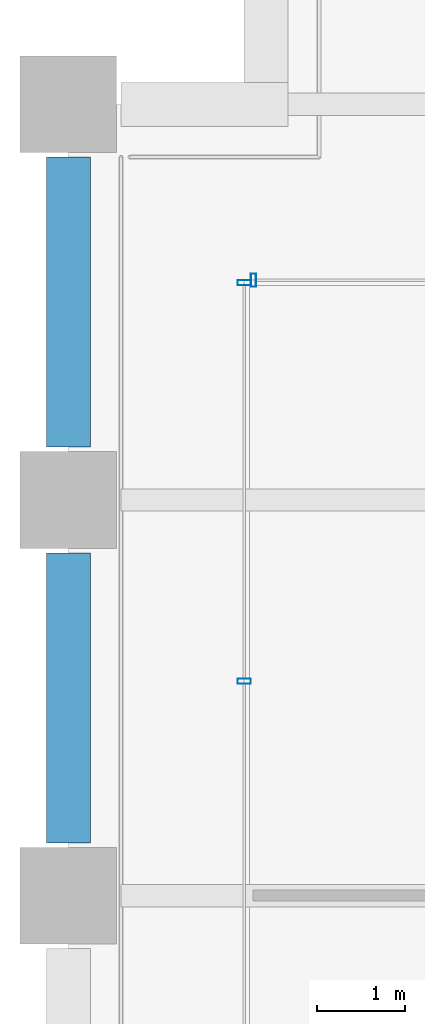
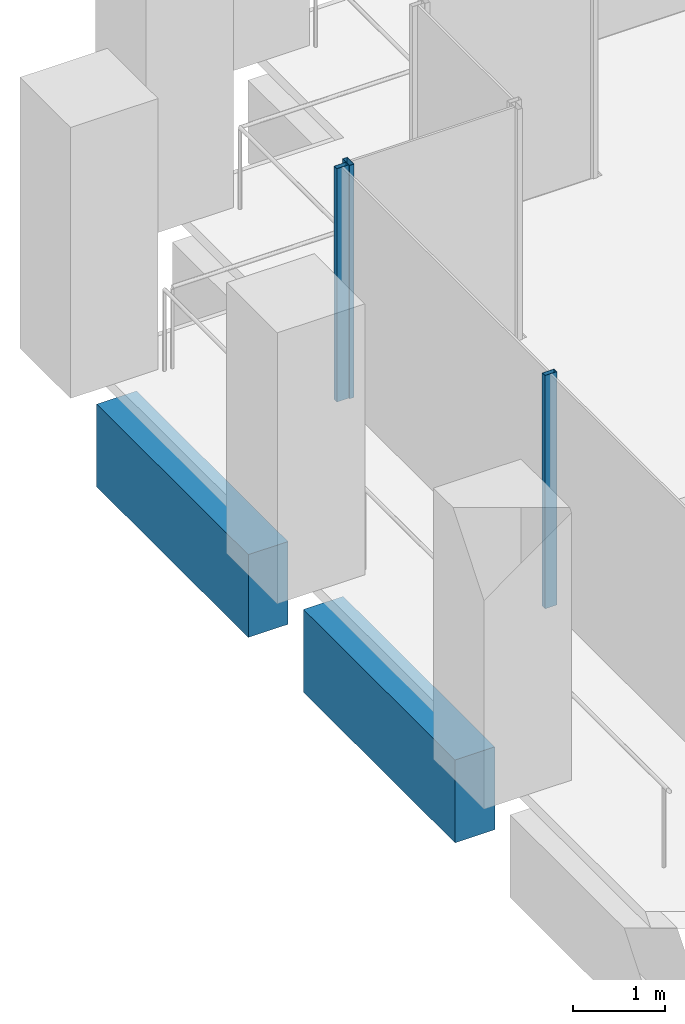
# One storey, part 23 of 55: 3 members, 2 beams, 2 elements without a shape of their own.
"""IFC4 building model written with IfcOpenShell, lengths in metres."""

from ifc_helpers import new_model, si_unit, direction, frame, origin, origin_2d, place, context, subcontext, project, spatial, rectangle, hollow_rectangle, extrude, material, material_profile, profile_set, type_object, element, aggregate, save


model = new_model("IFC4")

# Units and contexts
model_context = context("Model", 3, precision=1e-05, world=origin(), true_north=direction((0.0, 1.0)))
body_context = subcontext(model_context, "Body", "Model", "MODEL_VIEW")
ifc_project = project(units=[si_unit("LENGTHUNIT", "METRE"), si_unit("AREAUNIT", "SQUARE_METRE"), si_unit("VOLUMEUNIT", "CUBIC_METRE"), si_unit("PLANEANGLEUNIT", "RADIAN"), si_unit("MASSUNIT", "GRAM", prefix="KILO")], contexts=[model_context])

# Site, building, storey
site_placement = place(None, origin())
site = spatial("IfcSite", under=ifc_project, at=site_placement, CompositionType="ELEMENT")
building_placement = place(site_placement, origin())
building = spatial("IfcBuilding", under=site, at=building_placement, Name="Altepetl Exchange Towers", CompositionType="ELEMENT")
storey_placement = place(building_placement, frame((0.0, 0.0, 47.39990234375)))
storey = spatial("IfcBuildingStorey", under=building, at=storey_placement, Name="L10", CompositionType="ELEMENT", Elevation=47.39990234375)

# Curtain wall, member
ifc_material_1 = material(Name="Aluminium 6063-T6 glazing", Category="aluminium")
curtain_wall_type = type_object("IfcCurtainWallType", Name="Loggia glazing system", PredefinedType="NOTDEFINED", material=ifc_material_1)
curtain_wall_1_placement = place(storey_placement, origin())
curtain_wall_1 = element("IfcCurtainWall", 1, at=curtain_wall_1_placement, inside=storey, type_object=curtain_wall_type, Name="CW1 run", PredefinedType="NOTDEFINED")
ifc_material_2 = material(Name="Aluminium 6063-T6", Category="aluminium")
ifc_material_profile_1 = material_profile(ifc_material_2, hollow_rectangle(XDim=0.06005859375, YDim=0.14990234375, WallThickness=0.0029296875, at=origin_2d()), Name="Mullion 60x150 aluminium")
ifc_profile_set_1 = profile_set([ifc_material_profile_1], Name="Aluminium 6063-T6")
member_type = type_object("IfcMemberType", Name="Mullion 60x150 aluminium", PredefinedType="MULLION", material=ifc_profile_set_1)
member_1_placement = place(storey_placement, frame((29.10498046875, 65.5, 0.0), z_axis=(0.0, 0.0, 1.0), x_axis=(-1.0, 0.0, 0.0)))
member_1 = element("IfcMember", 2, at=member_1_placement, type_object=member_type, Name="MU1 mullion", PredefinedType="MULLION", context=body_context, shape_type="SweptSolid", body=[
    extrude(hollow_rectangle(XDim=0.06005859375, YDim=0.14990234375, WallThickness=0.0029296875, at=origin_2d()), origin(), (0.0, 0.0, 1.0), 3.10009765625),
])
aggregate(curtain_wall_1, [member_1])

# Curtain wall, members
curtain_wall_2_placement = place(storey_placement, origin())
curtain_wall_2 = element("IfcCurtainWall", 3, at=curtain_wall_2_placement, inside=storey, type_object=curtain_wall_type, Name="CW1 run", PredefinedType="NOTDEFINED")
member_2_placement = place(storey_placement, frame((29.0, 65.469970703125, 0.0), z_axis=(0.0, 0.0, 1.0), x_axis=(0.0, -1.0, 0.0)))
member_2 = element("IfcMember", 4, at=member_2_placement, type_object=member_type, Name="MU1 mullion", PredefinedType="MULLION", context=body_context, shape_type="SweptSolid", body=[
    extrude(hollow_rectangle(XDim=0.06005859375, YDim=0.14990234375, WallThickness=0.0029296875, at=origin_2d()), origin(), (0.0, 0.0, 1.0), 3.10009765625),
])
member_3_placement = place(storey_placement, frame((29.0, 60.939208984375, 0.0), z_axis=(0.0, 0.0, 1.0), x_axis=(0.0, -1.0, 0.0)))
member_3 = element("IfcMember", 5, at=member_3_placement, type_object=member_type, Name="MU1 mullion", PredefinedType="MULLION", context=body_context, shape_type="SweptSolid", body=[
    extrude(hollow_rectangle(XDim=0.06005859375, YDim=0.14990234375, WallThickness=0.0029296875, at=origin_2d()), origin(), (0.0, 0.0, 1.0), 3.10009765625),
])
aggregate(curtain_wall_2, [member_2, member_3])

# Beams
ifc_material_3 = material(Name="Concrete C50/60 precast with tezontle facing", Category="concrete")
ifc_material_profile_2 = material_profile(ifc_material_3, rectangle(XDim=0.5, YDim=1.10009765625, at=origin_2d()), Name="500 x 1100")
ifc_profile_set_2 = profile_set([ifc_material_profile_2], Name="Concrete C50/60 precast with tezontle facing")
beam_type = type_object("IfcBeamType", Name="Spandrel beam 500x1100 tezontle", PredefinedType="SPANDREL", material=ifc_profile_set_2)
for number, where, z_axis, x_axis, name in (
    (6, (27.0, 66.89990234375, -0.699951171875), (0.0, -1.0, 0.0), (1.0, 0.0, 0.0), "sp:A:L10:036"),
    (7, (27.0, 62.39990234375, -0.699951171875), (0.0, -1.0, 0.0), (1.0, 0.0, 0.0), "sp:A:L10:037"),
):
    element("IfcBeam", number, at=place(storey_placement, frame(where, z_axis=z_axis, x_axis=x_axis)), inside=storey, type_object=beam_type, Name=name, PredefinedType="SPANDREL", context=body_context, shape_type="SweptSolid", body=[
        extrude(rectangle(XDim=0.5, YDim=1.10009765625, at=origin_2d()), origin(), (0.0, 0.0, 1.0), 3.2998046875),
    ])

save(model, "model.ifc")
